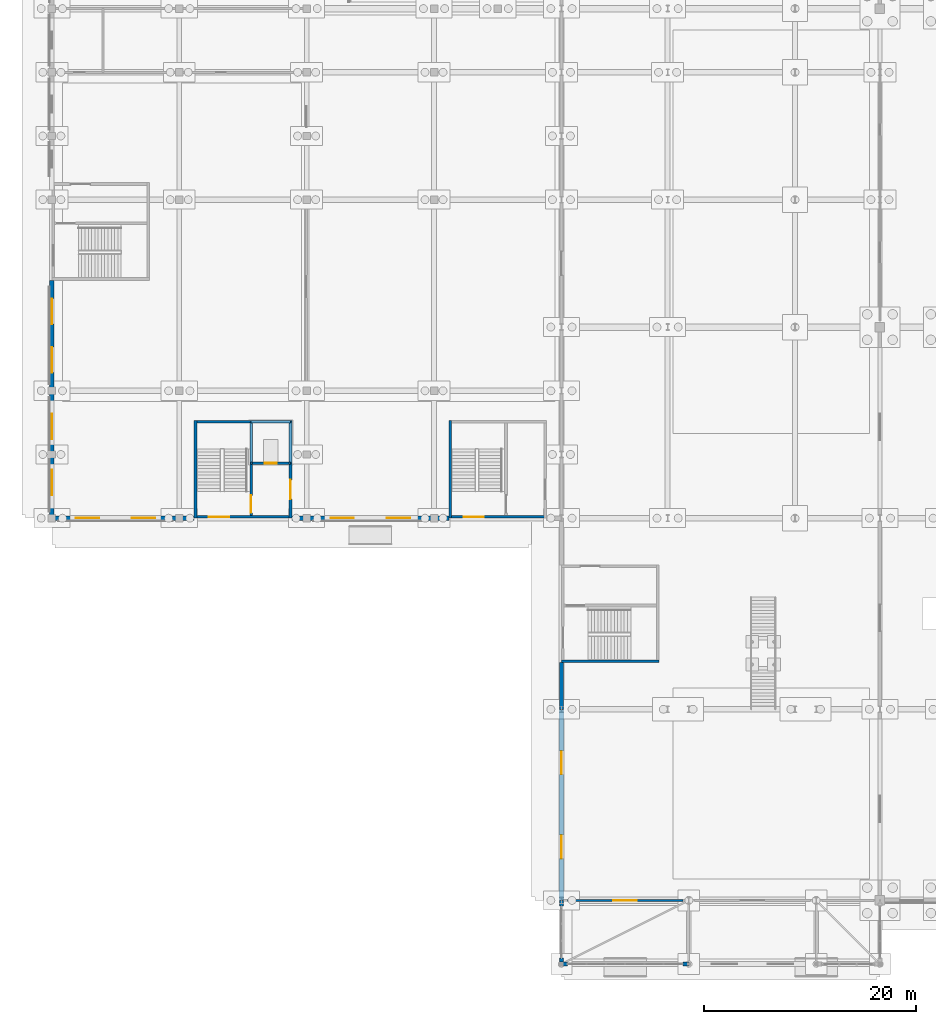
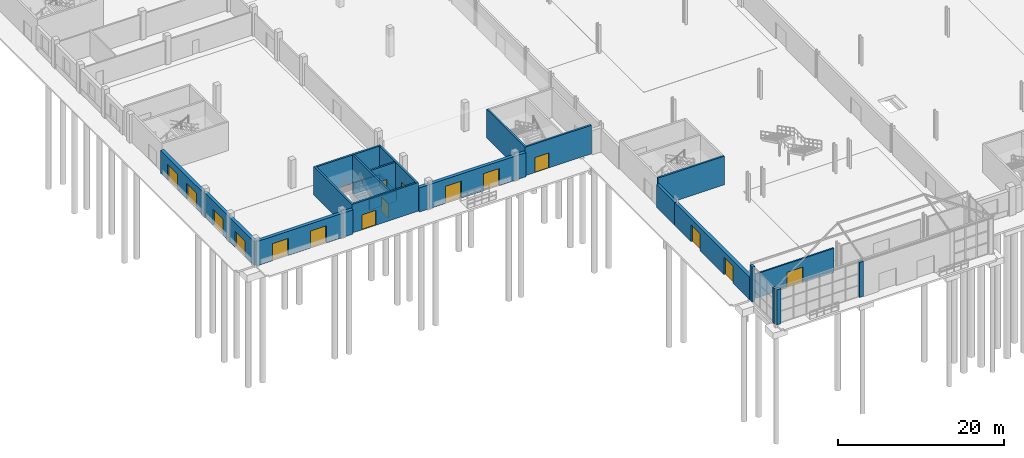
# One storey, part 52 of 77: 27 walls, 16 doors, 16 openings.
"""IFC4 building model written with IfcOpenShell, lengths in metres."""

import ifcopenshell
import ifcopenshell.guid

model = None  # the IFC model being written
_history = None  # IfcOwnerHistory: only IFC2X3 demands one
_inside = {}  # id of a spatial element -> (the spatial element, [elements in it])
_under = {}  # id of a project, library or spatial element -> (it, [spatial elements below it])
_declared = {}  # id of a project -> (the project, [libraries it declares])
_typed = {}  # id of a type object -> (the type object, [elements of that type])
_made_of = {}  # id of a material, layer set ... -> (it, [elements and type objects made of it])


def new_model(schema):
    """Start an empty IFC model of exactly this schema.

    Asked for "IFC4X3", IfcOpenShell would pick the latest addendum, in which some entities
    have other attributes; the version numbers below select the first issue.
    IFC2X3 requires an IfcOwnerHistory on every rooted entity: one is made here for all.
    """
    global model, _history
    if schema == "IFC4X3":
        model = ifcopenshell.file(schema_version=(4, 3, 0, 0))
    else:
        model = ifcopenshell.file(schema=schema)
    _inside.clear()
    _under.clear()
    _declared.clear()
    _typed.clear()
    _made_of.clear()
    _history = None
    if model.schema == "IFC2X3":
        org = make("IfcOrganization", Name="unknown")
        user = make(
            "IfcPersonAndOrganization",
            ThePerson=make("IfcPerson", FamilyName="unknown"),
            TheOrganization=org,
        )
        app = make(
            "IfcApplication",
            ApplicationDeveloper=org,
            Version="unknown",
            ApplicationFullName="unknown",
            ApplicationIdentifier="unknown",
        )
        _history = make(
            "IfcOwnerHistory",
            OwningUser=user,
            OwningApplication=app,
            ChangeAction="ADDED",
            CreationDate=0,
        )
    return model


def make(cls, **values):
    """One entity of the class cls with the attributes given. An attribute that is None is left unset."""
    return model.create_entity(
        cls, **{name: value for name, value in values.items() if value is not None}
    )


def rooted(cls, **values):
    """An entity with a GlobalId (a new one), such as an element, a storey or a relation."""
    return make(cls, GlobalId=ifcopenshell.guid.new(), OwnerHistory=_history, **values)


def si_unit(unit_type, name, prefix=None):
    """IfcSIUnit, for example si_unit("LENGTHUNIT", "METRE", prefix="MILLI")."""
    return make("IfcSIUnit", UnitType=unit_type, Prefix=prefix, Name=name)


def assignment(units):
    """IfcUnitAssignment: the units of a project."""
    return None if units is None else make("IfcUnitAssignment", Units=units)


def point(xyz):
    """IfcCartesianPoint."""
    return None if xyz is None else make("IfcCartesianPoint", Coordinates=xyz)


def direction(xyz):
    """IfcDirection."""
    return None if xyz is None else make("IfcDirection", DirectionRatios=xyz)


def frame(location, z_axis=None, x_axis=None):
    """IfcAxis2Placement3D, a coordinate frame: its origin and axes. An axis left out is left unset."""
    return make(
        "IfcAxis2Placement3D",
        Location=point(location),
        Axis=direction(z_axis),
        RefDirection=direction(x_axis),
    )


def frame_2d(location, x_axis=None):
    """IfcAxis2Placement2D, a coordinate frame in the plane: its origin and x axis."""
    return make(
        "IfcAxis2Placement2D", Location=point(location), RefDirection=direction(x_axis)
    )


def origin():
    """The frame at (0, 0, 0) with its axes left unset."""
    return frame((0.0, 0.0, 0.0))


def place(relative_to, where):
    """IfcLocalPlacement: puts the frame where relative to a parent placement (None: the world)."""
    return make(
        "IfcLocalPlacement", PlacementRelTo=relative_to, RelativePlacement=where
    )


def context(
    kind, dimensions, precision=None, world=None, true_north=None, identifier=None
):
    """IfcGeometricRepresentationContext, for example the 3D "Model" context."""
    return make(
        "IfcGeometricRepresentationContext",
        ContextIdentifier=identifier,
        ContextType=kind,
        CoordinateSpaceDimension=dimensions,
        Precision=precision,
        WorldCoordinateSystem=world,
        TrueNorth=true_north,
    )


def subcontext(parent, identifier, kind, view, scale=None):
    """IfcGeometricRepresentationSubContext, for example "Body" below "Model"."""
    return make(
        "IfcGeometricRepresentationSubContext",
        ContextIdentifier=identifier,
        ContextType=kind,
        ParentContext=parent,
        TargetScale=scale,
        TargetView=view,
    )


def project(units=None, contexts=None):
    """IfcProject with its units and contexts."""
    return rooted(
        "IfcProject",
        Name="project",
        RepresentationContexts=contexts,
        UnitsInContext=assignment(units),
    )


def spatial(cls, under=None, at=None, **own):
    """A site, building, storey or space (cls), placed at a placement, below another one or the project."""
    s = rooted(cls, ObjectPlacement=at, **own)
    if under is not None:
        _under.setdefault(under.id(), (under, []))[1].append(s)
    return s


def profile(cls, at=None, kind="AREA", **sizes):
    """A parametric profile (cls). Its sizes go by their IFC names, for example OverallWidth=200.0."""
    return make(cls, ProfileType=kind, Position=at, **sizes)


def rectangle(**sizes):
    """IfcRectangleProfileDef."""
    return profile("IfcRectangleProfileDef", **sizes)


def extrude(swept, where, along, depth):
    """IfcExtrudedAreaSolid: the profile swept, set in the frame where, extruded along a direction by depth."""
    return make(
        "IfcExtrudedAreaSolid",
        SweptArea=swept,
        Position=where,
        ExtrudedDirection=direction(along),
        Depth=depth,
    )


def shape(context_of_items, identifier, shape_type, items):
    """IfcShapeRepresentation: the items that make up one representation, for example the "Body"."""
    return make(
        "IfcShapeRepresentation",
        ContextOfItems=context_of_items,
        RepresentationIdentifier=identifier,
        RepresentationType=shape_type,
        Items=items,
    )


def material(Name=None, Category=None):
    """IfcMaterial."""
    return make("IfcMaterial", Name=Name, Category=Category)


def layer(
    of_material, thickness, ventilated=None, Name=None, Category=None, Priority=None
):
    """IfcMaterialLayer: one layer of a wall or slab, of a material (None: an air gap)."""
    return make(
        "IfcMaterialLayer",
        Material=of_material,
        LayerThickness=thickness,
        IsVentilated=ventilated,
        Name=Name,
        Category=Category,
        Priority=Priority,
    )


def layer_set(layers, Name=None):
    """IfcMaterialLayerSet."""
    return make("IfcMaterialLayerSet", MaterialLayers=layers, LayerSetName=Name)


def made_of(thing, what):
    """Note that an element or type object is made of a material, layer set ...; save() writes the relation."""
    if what is not None:
        _made_of.setdefault(what.id(), (what, []))[1].append(thing)
    return thing


def type_object(cls, material=None, **own):
    """A type object (cls), such as IfcWallType, which elements share."""
    return made_of(rooted(cls, **own), material)


def element(
    cls,
    number,
    at=None,
    inside=None,
    cuts=None,
    type_object=None,
    material=None,
    context=None,
    identifier="Body",
    shape_type=None,
    held_by="IfcProductDefinitionShape",
    body=None,
    shapes=None,
    **own,
):
    """One element of the class cls, such as IfcWall. Its Tag is "e" and its number.

    at: its placement. inside: the storey or other place that contains it. cuts: it is an
    opening in that element (IfcRelVoidsElement). A single representation is given by context,
    identifier, shape_type and body (its items); several are given by shapes. held_by: the class
    of the entity that holds the representations. save() writes the other relations.
    """
    e = rooted(cls, Tag="e%d" % number, ObjectPlacement=at, **own)
    if body is not None:
        shapes = [shape(context, identifier, shape_type, body)]
    if shapes is not None:
        e.Representation = make(held_by, Representations=shapes)
    if inside is not None:
        _inside.setdefault(inside.id(), (inside, []))[1].append(e)
    if cuts is not None:
        rooted(
            "IfcRelVoidsElement", RelatingBuildingElement=cuts, RelatedOpeningElement=e
        )
    if type_object is not None:
        _typed.setdefault(type_object.id(), (type_object, []))[1].append(e)
    return made_of(e, material)


def fill(opening, filler):
    """IfcRelFillsElement: the door or window that sits in an opening."""
    return rooted(
        "IfcRelFillsElement",
        RelatingOpeningElement=opening,
        RelatedBuildingElement=filler,
    )


def aggregate(whole, parts):
    """IfcRelAggregates: a whole, such as a stair, and the parts it consists of."""
    return rooted("IfcRelAggregates", RelatingObject=whole, RelatedObjects=parts)


def save(model, path):
    """Write the relations noted so far, then the file.

    IfcRelAggregates (storeys below a building ...), IfcRelContainedInSpatialStructure (elements
    in a storey), IfcRelDefinesByType, IfcRelAssociatesMaterial and IfcRelDeclares: one each for
    every whole, place, type object, material and project.
    """
    for whole, parts in _under.values():
        aggregate(whole, parts)
    for where, things in _inside.values():
        rooted(
            "IfcRelContainedInSpatialStructure",
            RelatedElements=things,
            RelatingStructure=where,
        )
    for kind, things in _typed.values():
        rooted("IfcRelDefinesByType", RelatedObjects=things, RelatingType=kind)
    for what, things in _made_of.values():
        rooted("IfcRelAssociatesMaterial", RelatedObjects=things, RelatingMaterial=what)
    for by, libraries in _declared.values():
        rooted("IfcRelDeclares", RelatingContext=by, RelatedDefinitions=libraries)
    model.write(path)


model = new_model("IFC4")

# Units and contexts
model_context = context("Model", 3, precision=1e-05, world=origin(), true_north=direction((0.0, 1.0)))
body_context = subcontext(model_context, "Body", "Model", "MODEL_VIEW")
ifc_project = project(units=[si_unit("LENGTHUNIT", "METRE"), si_unit("AREAUNIT", "SQUARE_METRE"), si_unit("VOLUMEUNIT", "CUBIC_METRE"), si_unit("PLANEANGLEUNIT", "RADIAN"), si_unit("MASSUNIT", "GRAM", prefix="KILO")], contexts=[model_context])

# Site, building, storey
site_placement = place(None, origin())
site = spatial("IfcSite", under=ifc_project, at=site_placement, CompositionType="ELEMENT")
building_placement = place(site_placement, origin())
building = spatial("IfcBuilding", under=site, at=building_placement, Name="Zilviju Railside Exhibition Hall", CompositionType="ELEMENT")
storey_placement = place(building_placement, origin())
storey = spatial("IfcBuildingStorey", under=building, at=storey_placement, Name="L01", CompositionType="ELEMENT", Elevation=0.0)

# Walls
ifc_material_1 = material(Name="Concrete C35/45", Category="concrete")
ifc_layer_1 = layer(ifc_material_1, 0.25)
ifc_layer_set_1 = layer_set([ifc_layer_1], Name="Concrete C35/45")
wall_type_1 = type_object("IfcWallType", Name="WL-CORE-250", PredefinedType="SHEAR", material=ifc_layer_set_1)
for number, where, z_axis, x_axis, name in (
    (1, (48.0, 22.52490234375, 0.0), (0.0, 0.0, 1.0), (1.0, 0.0, 0.0), "Core C11 Winter Concourse Forecourt Stairwell Outer Wall L01"),
    (2, (13.52490234375, 36.0, 0.0), (0.0, 0.0, 1.0), (0.0, 1.0, 0.0), "Core C12 Congress Plenary SouthW Stairwell Outer Wall L01"),
):
    element("IfcWall", number, at=place(storey_placement, frame(where, z_axis=z_axis, x_axis=x_axis)), inside=storey, type_object=wall_type_1, Name=name, PredefinedType="SHEAR", context=body_context, shape_type="SweptSolid", body=[
        extrude(rectangle(XDim=9.199951171875, YDim=0.25, at=frame_2d((4.60009765625, 0.0))), origin(), (0.0, 0.0, 1.0), 4.199951171875),
    ])
wall_1_placement = place(storey_placement, frame((13.39990234375, 45.074951171875, 0.0), z_axis=(0.0, 0.0, 1.0), x_axis=(1.0, 0.0, 0.0)))
element("IfcWall", 3, at=wall_1_placement, inside=storey, type_object=wall_type_1, Name="Core C12 Congress Plenary SouthW Core Rear Wall L01", PredefinedType="SHEAR", context=body_context, shape_type="SweptSolid", body=[
    extrude(rectangle(XDim=9.2001953125, YDim=0.25, at=frame_2d((4.60009765625, 0.0))), origin(), (0.0, 0.0, 1.0), 4.199951171875),
])

# Wall, opening, door
wall_2_placement = place(storey_placement, frame((22.47509765625, 36.0, 0.0), z_axis=(0.0, 0.0, 1.0), x_axis=(0.0, 1.0, 0.0)))
wall_2 = element("IfcWall", 4, at=wall_2_placement, inside=storey, type_object=wall_type_1, Name="Core C12 Congress Plenary SouthW Lobby Side Wall L01", PredefinedType="SHEAR", context=body_context, shape_type="SweptSolid", body=[
    extrude(rectangle(XDim=9.199951171875, YDim=0.25, at=frame_2d((4.60009765625, 0.0))), origin(), (0.0, 0.0, 1.0), 4.199951171875),
])
opening_1_placement = place(wall_2_placement, frame((1.800048828125, 0.0, 0.0)))
opening_1 = element("IfcOpeningElement", 5, at=opening_1_placement, cuts=wall_2, Name="Opening FD-02", PredefinedType="OPENING", context=body_context, shape_type="SweptSolid", body=[
    extrude(rectangle(XDim=1.800048828125, YDim=2.14990234375, at=frame_2d((0.89990234375, 1.074951171875))), frame((0.0, 0.135009765625, 0.0), z_axis=(0.0, -1.0, 0.0), x_axis=(1.0, 0.0, 0.0)), (0.0, 0.0, 1.0), 0.27001953125),
])
ifc_material_2 = material(Name="Self-closing glazed steel core lobby fire door EI 60", Category="steel")
door_type_1 = type_object("IfcDoorType", Name="DR-LOBBY-180x215", OperationType="NOTDEFINED", PredefinedType="DOOR", material=ifc_material_2)
door_1_placement = place(opening_1_placement, origin())
door_1 = element("IfcDoor", 6, at=door_1_placement, inside=storey, type_object=door_type_1, Name="Core C12 Congress Plenary SouthW Lobby Fire Door L01", OperationType="DOUBLE_DOOR_SINGLE_SWING", OverallHeight=2.14990234375, OverallWidth=1.800048828125, PredefinedType="DOOR", context=body_context, shape_type="SweptSolid", body=[
    extrude(rectangle(XDim=1.800048828125, YDim=2.14990234375, at=frame_2d((0.89990234375, 1.074951171875))), frame((0.0, 0.02490234375, 0.0), z_axis=(0.0, -1.0, 0.0), x_axis=(1.0, 0.0, 0.0)), (0.0, 0.0, 1.0), 0.050048828125),
])
fill(opening_1, door_1)

wall_3_placement = place(storey_placement, frame((18.77490234375, 36.25, 0.0), z_axis=(0.0, 0.0, 1.0), x_axis=(0.0, 1.0, 0.0)))
wall_3 = element("IfcWall", 7, at=wall_3_placement, inside=storey, type_object=wall_type_1, Name="Core C12 Congress Plenary SouthW Stairwell Partition Wall L01", PredefinedType="SHEAR", context=body_context, shape_type="SweptSolid", body=[
    extrude(rectangle(XDim=8.699951171875, YDim=0.25, at=frame_2d((4.35009765625, 0.0))), origin(), (0.0, 0.0, 1.0), 4.199951171875),
])
opening_2_placement = place(wall_3_placement, frame((0.25, 0.0, 0.0)))
opening_2 = element("IfcOpeningElement", 8, at=opening_2_placement, cuts=wall_3, Name="Opening FD-01", PredefinedType="OPENING", context=body_context, shape_type="SweptSolid", body=[
    extrude(rectangle(XDim=1.64990234375, YDim=2.10009765625, at=frame_2d((0.824951171875, 1.050048828125))), frame((0.0, 0.135009765625, 0.0), z_axis=(0.0, -1.0, 0.0), x_axis=(1.0, 0.0, 0.0)), (0.0, 0.0, 1.0), 0.27001953125),
])
ifc_material_3 = material(Name="Self-closing steel stair enclosure fire door EI 60", Category="steel")
door_type_2 = type_object("IfcDoorType", Name="DR-STAIR-165x210", OperationType="NOTDEFINED", PredefinedType="DOOR", material=ifc_material_3)
door_2_placement = place(opening_2_placement, origin())
door_2 = element("IfcDoor", 9, at=door_2_placement, inside=storey, type_object=door_type_2, Name="Core C12 Congress Plenary SouthW Protected Stair Door L01", OperationType="SINGLE_SWING_RIGHT", OverallHeight=2.10009765625, OverallWidth=1.64990234375, PredefinedType="DOOR", context=body_context, shape_type="SweptSolid", body=[
    extrude(rectangle(XDim=1.64990234375, YDim=2.10009765625, at=frame_2d((0.824951171875, 1.050048828125))), frame((0.0, 0.02490234375, 0.0), z_axis=(0.0, -1.0, 0.0), x_axis=(1.0, 0.0, 0.0)), (0.0, 0.0, 1.0), 0.050048828125),
])
fill(opening_2, door_2)

wall_4_placement = place(storey_placement, frame((18.89990234375, 41.175048828125, 0.0), z_axis=(0.0, 0.0, 1.0), x_axis=(1.0, 0.0, 0.0)))
wall_4 = element("IfcWall", 10, at=wall_4_placement, inside=storey, type_object=wall_type_1, Name="Core C12 Congress Plenary SouthW Lift Shaft Front Wall L01", PredefinedType="SHEAR", context=body_context, shape_type="SweptSolid", body=[
    extrude(rectangle(XDim=3.4501953125, YDim=0.25, at=frame_2d((1.72509765625, 0.0))), origin(), (0.0, 0.0, 1.0), 4.199951171875),
])
opening_3_placement = place(wall_4_placement, frame((1.175048828125, 0.0, 0.0)))
opening_3 = element("IfcOpeningElement", 11, at=opening_3_placement, cuts=wall_4, Name="Opening LD-01", PredefinedType="OPENING", context=body_context, shape_type="SweptSolid", body=[
    extrude(rectangle(XDim=1.10009765625, YDim=2.10009765625, at=frame_2d((0.550048828125, 1.050048828125))), frame((0.0, 0.135009765625, 0.0), z_axis=(0.0, -1.0, 0.0), x_axis=(1.0, 0.0, 0.0)), (0.0, 0.0, 1.0), 0.27001953125),
])
ifc_material_4 = material(Name="Passenger lift sliding landing door EI 60", Category="wood")
door_type_3 = type_object("IfcDoorType", Name="DR-LIFT-110x210", OperationType="NOTDEFINED", PredefinedType="DOOR", material=ifc_material_4)
door_3_placement = place(opening_3_placement, origin())
door_3 = element("IfcDoor", 12, at=door_3_placement, inside=storey, type_object=door_type_3, Name="Lift Landing Door LP-05 L01", OperationType="SLIDING_TO_RIGHT", OverallHeight=2.10009765625, OverallWidth=1.10009765625, PredefinedType="DOOR", context=body_context, shape_type="SweptSolid", body=[
    extrude(rectangle(XDim=1.10009765625, YDim=2.10009765625, at=frame_2d((0.550048828125, 1.050048828125))), frame((0.0, 0.02490234375, 0.0), z_axis=(0.0, -1.0, 0.0), x_axis=(1.0, 0.0, 0.0)), (0.0, 0.0, 1.0), 0.050048828125),
])
fill(opening_3, door_3)

# Walls
wall_5_placement = place(storey_placement, frame((37.52490234375, 36.0, 0.0), z_axis=(0.0, 0.0, 1.0), x_axis=(0.0, 1.0, 0.0)))
element("IfcWall", 13, at=wall_5_placement, inside=storey, type_object=wall_type_1, Name="Core C13 Congress Plenary SouthE Stairwell Outer Wall L01", PredefinedType="SHEAR", context=body_context, shape_type="SweptSolid", body=[
    extrude(rectangle(XDim=9.199951171875, YDim=0.25, at=frame_2d((4.60009765625, 0.0))), origin(), (0.0, 0.0, 1.0), 4.199951171875),
])
ifc_material_5 = material(Name="Concrete C40/50", Category="concrete")
ifc_layer_2 = layer(ifc_material_5, 0.25)
ifc_layer_set_2 = layer_set([ifc_layer_2], Name="Concrete C40/50")
wall_type_2 = type_object("IfcWallType", Name="WL-CORE-300", PredefinedType="SHEAR", material=ifc_layer_set_2)
wall_6_placement = place(storey_placement, frame((18.780029296875, 41.179931640625, -1.60009765625), z_axis=(0.0, 0.0, 1.0), x_axis=(1.0, 0.0, 0.0)))
element("IfcWall", 14, at=wall_6_placement, inside=storey, type_object=wall_type_2, Name="Core C12 Congress Plenary SouthW Lift Pit Wall 1", PredefinedType="SHEAR", context=body_context, shape_type="SweptSolid", body=[
    extrude(rectangle(XDim=3.699951171875, YDim=0.25, at=frame_2d((1.85009765625, 0.0))), origin(), (0.0, 0.0, 1.0), 1.60009765625),
])
wall_7_placement = place(storey_placement, frame((22.47998046875, 41.179931640625, -1.60009765625), z_axis=(0.0, 0.0, 1.0), x_axis=(0.0, 1.0, 0.0)))
element("IfcWall", 15, at=wall_7_placement, inside=storey, type_object=wall_type_2, Name="Core C12 Congress Plenary SouthW Lift Pit Wall 2", PredefinedType="SHEAR", context=body_context, shape_type="SweptSolid", body=[
    extrude(rectangle(XDim=3.900146484375, YDim=0.25, at=frame_2d((1.9501953125, 0.0))), origin(), (0.0, 0.0, 1.0), 1.60009765625),
])
wall_8_placement = place(storey_placement, frame((22.47998046875, 45.080078125, -1.60009765625), z_axis=(0.0, 0.0, 1.0), x_axis=(-1.0, 0.0, 0.0)))
element("IfcWall", 16, at=wall_8_placement, inside=storey, type_object=wall_type_2, Name="Core C12 Congress Plenary SouthW Lift Pit Wall 3", PredefinedType="SHEAR", context=body_context, shape_type="SweptSolid", body=[
    extrude(rectangle(XDim=3.699951171875, YDim=0.25, at=frame_2d((1.85009765625, 0.0))), origin(), (0.0, 0.0, 1.0), 1.60009765625),
])
wall_9_placement = place(storey_placement, frame((18.780029296875, 45.080078125, -1.60009765625), z_axis=(0.0, 0.0, 1.0), x_axis=(0.0, -1.0, 0.0)))
element("IfcWall", 17, at=wall_9_placement, inside=storey, type_object=wall_type_2, Name="Core C12 Congress Plenary SouthW Lift Pit Wall 4", PredefinedType="SHEAR", context=body_context, shape_type="SweptSolid", body=[
    extrude(rectangle(XDim=3.900146484375, YDim=0.25, at=frame_2d((1.9501953125, 0.0))), origin(), (0.0, 0.0, 1.0), 1.60009765625),
])

# Wall, opening, door
wall_10_placement = place(storey_placement, frame((22.60009765625, 36.125, 0.0), z_axis=(0.0, 0.0, 1.0), x_axis=(-1.0, 0.0, 0.0)))
wall_10 = element("IfcWall", 18, at=wall_10_placement, inside=storey, type_object=wall_type_2, Name="Core C12 Congress Plenary SouthW Exterior Core Wall L01", PredefinedType="SHEAR", context=body_context, shape_type="SweptSolid", body=[
    extrude(rectangle(XDim=9.2001953125, YDim=0.25, at=frame_2d((4.60009765625, 0.0))), origin(), (0.0, 0.0, 1.0), 4.199951171875),
])
opening_4_placement = place(wall_10_placement, frame((5.89990234375, 0.0, 0.0)))
opening_4 = element("IfcOpeningElement", 19, at=opening_4_placement, cuts=wall_10, Name="Opening ED-02", PredefinedType="OPENING", context=body_context, shape_type="SweptSolid", body=[
    extrude(rectangle(XDim=1.89990234375, YDim=2.199951171875, at=frame_2d((0.949951171875, 1.10009765625))), frame((0.0, 0.135009765625, 0.0), z_axis=(0.0, -1.0, 0.0), x_axis=(1.0, 0.0, 0.0)), (0.0, 0.0, 1.0), 0.27001953125),
])
ifc_material_6 = material(Name="Insulated aluminium stair discharge door", Category="aluminium")
door_type_4 = type_object("IfcDoorType", Name="DR-EXT-EXIT-190x220", OperationType="NOTDEFINED", PredefinedType="DOOR", material=ifc_material_6)
door_4_placement = place(opening_4_placement, origin())
door_4 = element("IfcDoor", 20, at=door_4_placement, inside=storey, type_object=door_type_4, Name="Core C12 Congress Plenary SouthW Exit Stair Discharge Door ED-C12", OperationType="DOUBLE_DOOR_SINGLE_SWING", OverallHeight=2.199951171875, OverallWidth=1.89990234375, PredefinedType="DOOR", context=body_context, shape_type="SweptSolid", body=[
    extrude(rectangle(XDim=1.89990234375, YDim=2.199951171875, at=frame_2d((0.949951171875, 1.10009765625))), frame((0.0, 0.02490234375, 0.0), z_axis=(0.0, -1.0, 0.0), x_axis=(1.0, 0.0, 0.0)), (0.0, 0.0, 1.0), 0.050048828125),
])
fill(opening_4, door_4)

wall_11_placement = place(storey_placement, frame((46.60009765625, 36.125, 0.0), z_axis=(0.0, 0.0, 1.0), x_axis=(-1.0, 0.0, 0.0)))
wall_11 = element("IfcWall", 21, at=wall_11_placement, inside=storey, type_object=wall_type_2, Name="Core C13 Congress Plenary SouthE Exterior Core Wall L01", PredefinedType="SHEAR", context=body_context, shape_type="SweptSolid", body=[
    extrude(rectangle(XDim=9.2001953125, YDim=0.25, at=frame_2d((4.60009765625, 0.0))), origin(), (0.0, 0.0, 1.0), 4.199951171875),
])
opening_5_placement = place(wall_11_placement, frame((5.89990234375, 0.0, 0.0)))
opening_5 = element("IfcOpeningElement", 22, at=opening_5_placement, cuts=wall_11, Name="Opening ED-02", PredefinedType="OPENING", context=body_context, shape_type="SweptSolid", body=[
    extrude(rectangle(XDim=1.89990234375, YDim=2.199951171875, at=frame_2d((0.949951171875, 1.10009765625))), frame((0.0, 0.135009765625, 0.0), z_axis=(0.0, -1.0, 0.0), x_axis=(1.0, 0.0, 0.0)), (0.0, 0.0, 1.0), 0.27001953125),
])
door_5_placement = place(opening_5_placement, origin())
door_5 = element("IfcDoor", 23, at=door_5_placement, inside=storey, type_object=door_type_4, Name="Core C13 Congress Plenary SouthE Exit Stair Discharge Door ED-C13", OperationType="DOUBLE_DOOR_SINGLE_SWING", OverallHeight=2.199951171875, OverallWidth=1.89990234375, PredefinedType="DOOR", context=body_context, shape_type="SweptSolid", body=[
    extrude(rectangle(XDim=1.89990234375, YDim=2.199951171875, at=frame_2d((0.949951171875, 1.10009765625))), frame((0.0, 0.02490234375, 0.0), z_axis=(0.0, -1.0, 0.0), x_axis=(1.0, 0.0, 0.0)), (0.0, 0.0, 1.0), 0.050048828125),
])
fill(opening_5, door_5)

# Walls
ifc_material_7 = material(Name="Insulated cream-brick upper facade wall", Category="masonry")
ifc_layer_3 = layer(ifc_material_7, 0.3798828125)
ifc_layer_set_3 = layer_set([ifc_layer_3], Name="Insulated cream-brick upper facade wall")
wall_type_3 = type_object("IfcWallType", Name="WL-EXT-380", PredefinedType="SOLIDWALL", material=ifc_layer_set_3)
wall_12_placement = place(storey_placement, frame((48.550048828125, -6.0, 0.0), z_axis=(0.0, 0.0, 1.0), x_axis=(-1.0, 0.0, 0.0)))
element("IfcWall", 24, at=wall_12_placement, inside=storey, type_object=wall_type_3, Name="Curtain-Wall Jamb Closure Pier L01 0381", PredefinedType="SOLIDWALL", context=body_context, shape_type="SweptSolid", body=[
    extrude(rectangle(XDim=0.550048828125, YDim=0.3798828125, at=frame_2d((0.27490234375, 0.0))), origin(), (0.0, 0.0, 1.0), 5.14990234375),
])
wall_13_placement = place(storey_placement, frame((59.998046875, -6.0, 0.0), z_axis=(0.0, 0.0, 1.0), x_axis=(-1.0, 0.0, 0.0)))
element("IfcWall", 25, at=wall_13_placement, inside=storey, type_object=wall_type_3, Name="Curtain-Wall Jamb Closure Pier L01 0382", PredefinedType="SOLIDWALL", context=body_context, shape_type="SweptSolid", body=[
    extrude(rectangle(XDim=0.548095703125, YDim=0.3798828125, at=frame_2d((0.27392578125, 0.0))), origin(), (0.0, 0.0, 1.0), 5.14990234375),
])
wall_14_placement = place(storey_placement, frame((48.0, -5.80810546875, 0.0), z_axis=(0.0, 0.0, 1.0), x_axis=(0.0, 1.0, 0.0)))
element("IfcWall", 26, at=wall_14_placement, inside=storey, type_object=wall_type_3, Name="Curtain-Wall Jamb Closure Pier L01 0386", PredefinedType="SOLIDWALL", context=body_context, shape_type="SweptSolid", body=[
    extrude(rectangle(XDim=0.358154296875, YDim=0.3798828125, at=frame_2d((0.17919921875, 0.0))), origin(), (0.0, 0.0, 1.0), 5.14990234375),
])
wall_15_placement = place(storey_placement, frame((48.0, -0.550048828125, 0.0), z_axis=(0.0, 0.0, 1.0), x_axis=(0.0, 1.0, 0.0)))
element("IfcWall", 27, at=wall_15_placement, inside=storey, type_object=wall_type_3, Name="Curtain-Wall Jamb Closure Pier L01 0387", PredefinedType="SOLIDWALL", context=body_context, shape_type="SweptSolid", body=[
    extrude(rectangle(XDim=0.548095703125, YDim=0.3798828125, at=frame_2d((0.27392578125, 0.0))), origin(), (0.0, 0.0, 1.0), 5.14990234375),
])
wall_16_placement = place(storey_placement, frame((48.0, 18.0, 0.0), z_axis=(0.0, 0.0, 1.0), x_axis=(0.0, 1.0, 0.0)))
element("IfcWall", 28, at=wall_16_placement, inside=storey, type_object=wall_type_3, Name="Exterior Facade Wall L01 West 0397", PredefinedType="SOLIDWALL", context=body_context, shape_type="SweptSolid", body=[
    extrude(rectangle(XDim=4.39990234375, YDim=0.3798828125, at=frame_2d((2.199951171875, 0.0))), origin(), (0.0, 0.0, 1.0), 3.340087890625),
])

# Wall, openings, doors
ifc_material_8 = material(Name="Insulated Staburags travertine masonry wall", Category="masonry")
ifc_layer_4 = layer(ifc_material_8, 0.449951171875)
ifc_layer_set_4 = layer_set([ifc_layer_4], Name="Insulated Staburags travertine masonry wall")
wall_type_4 = type_object("IfcWallType", Name="WL-EXT-450", PredefinedType="SOLIDWALL", material=ifc_layer_set_4)
wall_17_placement = place(storey_placement, frame((48.0, 0.0, 0.0), z_axis=(0.0, 0.0, 1.0), x_axis=(0.0, 1.0, 0.0)))
wall_17 = element("IfcWall", 29, at=wall_17_placement, inside=storey, type_object=wall_type_4, Name="Exterior Facade Wall L01 West 0396", PredefinedType="SOLIDWALL", context=body_context, shape_type="SweptSolid", body=[
    extrude(rectangle(XDim=18.0, YDim=0.449951171875, at=frame_2d((9.0, 0.0))), origin(), (0.0, 0.0, 1.0), 3.35009765625),
])
opening_6_placement = place(wall_17_placement, frame((3.93994140625, 0.0, 0.0)))
opening_6 = element("IfcOpeningElement", 30, at=opening_6_placement, cuts=wall_17, Name="Opening ED-04", PredefinedType="OPENING", context=body_context, shape_type="SweptSolid", body=[
    extrude(rectangle(XDim=2.199951171875, YDim=2.5, at=frame_2d((1.10009765625, 1.25))), frame((0.0, 0.23486328125, 0.0), z_axis=(0.0, -1.0, 0.0), x_axis=(1.0, 0.0, 0.0)), (0.0, 0.0, 1.0), 0.469970703125),
])
opening_7_placement = place(wall_17_placement, frame((11.860107421875, 0.0, 0.0)))
opening_7 = element("IfcOpeningElement", 31, at=opening_7_placement, cuts=wall_17, Name="Opening ED-04", PredefinedType="OPENING", context=body_context, shape_type="SweptSolid", body=[
    extrude(rectangle(XDim=2.199951171875, YDim=2.5, at=frame_2d((1.10009765625, 1.25))), frame((0.0, 0.23486328125, 0.0), z_axis=(0.0, -1.0, 0.0), x_axis=(1.0, 0.0, 0.0)), (0.0, 0.0, 1.0), 0.469970703125),
])
ifc_material_9 = material(Name="Glazed concourse forecourt entrance door", Category="steel")
door_type_5 = type_object("IfcDoorType", Name="DR-EXT-MAIN-220x250", OperationType="NOTDEFINED", PredefinedType="DOOR", material=ifc_material_9)
door_6_placement = place(opening_6_placement, origin())
door_6 = element("IfcDoor", 32, at=door_6_placement, inside=storey, type_object=door_type_5, Name="Concourse Forecourt West Entrance Door ED-CONC-01", OperationType="DOUBLE_DOOR_SINGLE_SWING", OverallHeight=2.5, OverallWidth=2.199951171875, PredefinedType="DOOR", context=body_context, shape_type="SweptSolid", body=[
    extrude(rectangle(XDim=2.199951171875, YDim=2.5, at=frame_2d((1.10009765625, 1.25))), frame((0.0, 0.02490234375, 0.0), z_axis=(0.0, -1.0, 0.0), x_axis=(1.0, 0.0, 0.0)), (0.0, 0.0, 1.0), 0.050048828125),
])
fill(opening_6, door_6)
door_7_placement = place(opening_7_placement, origin())
door_7 = element("IfcDoor", 33, at=door_7_placement, inside=storey, type_object=door_type_5, Name="Concourse Forecourt West Entrance Door ED-CONC-01", OperationType="DOUBLE_DOOR_SINGLE_SWING", OverallHeight=2.5, OverallWidth=2.199951171875, PredefinedType="DOOR", context=body_context, shape_type="SweptSolid", body=[
    extrude(rectangle(XDim=2.199951171875, YDim=2.5, at=frame_2d((1.10009765625, 1.25))), frame((0.0, 0.02490234375, 0.0), z_axis=(0.0, -1.0, 0.0), x_axis=(1.0, 0.0, 0.0)), (0.0, 0.0, 1.0), 0.050048828125),
])
fill(opening_7, door_7)

wall_18_placement = place(storey_placement, frame((12.0, 36.0, 0.0), z_axis=(0.0, 0.0, 1.0), x_axis=(-1.0, 0.0, 0.0)))
wall_18 = element("IfcWall", 34, at=wall_18_placement, inside=storey, type_object=wall_type_4, Name="Exterior Facade Wall L01 South 0422", PredefinedType="SOLIDWALL", context=body_context, shape_type="SweptSolid", body=[
    extrude(rectangle(XDim=12.0, YDim=0.449951171875, at=frame_2d((6.0, 0.0))), origin(), (0.0, 0.0, 1.0), 3.550048828125),
])
opening_8_placement = place(wall_18_placement, frame((2.260009765625, 0.0, 0.0)))
opening_8 = element("IfcOpeningElement", 35, at=opening_8_placement, cuts=wall_18, Name="Opening ED-04", PredefinedType="OPENING", context=body_context, shape_type="SweptSolid", body=[
    extrude(rectangle(XDim=2.199951171875, YDim=2.5, at=frame_2d((1.10009765625, 1.25))), frame((0.0, 0.23486328125, 0.0), z_axis=(0.0, -1.0, 0.0), x_axis=(1.0, 0.0, 0.0)), (0.0, 0.0, 1.0), 0.469970703125),
])
opening_9_placement = place(wall_18_placement, frame((7.5400390625, 0.0, 0.0)))
opening_9 = element("IfcOpeningElement", 36, at=opening_9_placement, cuts=wall_18, Name="Opening ED-04", PredefinedType="OPENING", context=body_context, shape_type="SweptSolid", body=[
    extrude(rectangle(XDim=2.199951171875, YDim=2.5, at=frame_2d((1.10009765625, 1.25))), frame((0.0, 0.23486328125, 0.0), z_axis=(0.0, -1.0, 0.0), x_axis=(1.0, 0.0, 0.0)), (0.0, 0.0, 1.0), 0.469970703125),
])
door_8_placement = place(opening_8_placement, origin())
door_8 = element("IfcDoor", 37, at=door_8_placement, inside=storey, type_object=door_type_5, Name="Pedestrian Final Exit Door ED-046", OperationType="DOUBLE_DOOR_SINGLE_SWING", OverallHeight=2.5, OverallWidth=2.199951171875, PredefinedType="DOOR", context=body_context, shape_type="SweptSolid", body=[
    extrude(rectangle(XDim=2.199951171875, YDim=2.5, at=frame_2d((1.10009765625, 1.25))), frame((0.0, 0.02490234375, 0.0), z_axis=(0.0, -1.0, 0.0), x_axis=(1.0, 0.0, 0.0)), (0.0, 0.0, 1.0), 0.050048828125),
])
fill(opening_8, door_8)
door_9_placement = place(opening_9_placement, origin())
door_9 = element("IfcDoor", 38, at=door_9_placement, inside=storey, type_object=door_type_5, Name="Pedestrian Final Exit Door ED-047", OperationType="DOUBLE_DOOR_SINGLE_SWING", OverallHeight=2.5, OverallWidth=2.199951171875, PredefinedType="DOOR", context=body_context, shape_type="SweptSolid", body=[
    extrude(rectangle(XDim=2.199951171875, YDim=2.5, at=frame_2d((1.10009765625, 1.25))), frame((0.0, 0.02490234375, 0.0), z_axis=(0.0, -1.0, 0.0), x_axis=(1.0, 0.0, 0.0)), (0.0, 0.0, 1.0), 0.050048828125),
])
fill(opening_9, door_9)

# Walls
for number, where, z_axis, x_axis, name in (
    (39, (13.39990234375, 36.0, 0.0), (0.0, 0.0, 1.0), (-1.0, 0.0, 0.0), "Exterior Facade Wall L01 South 0423"),
    (40, (24.0, 36.0, 0.0), (0.0, 0.0, 1.0), (-1.0, 0.0, 0.0), "Exterior Facade Wall L01 South 0424"),
):
    element("IfcWall", number, at=place(storey_placement, frame(where, z_axis=z_axis, x_axis=x_axis)), inside=storey, type_object=wall_type_4, Name=name, PredefinedType="SOLIDWALL", context=body_context, shape_type="SweptSolid", body=[
        extrude(rectangle(XDim=1.39990234375, YDim=0.449951171875, at=frame_2d((0.699951171875, 0.0))), origin(), (0.0, 0.0, 1.0), 3.550048828125),
    ])

# Wall, openings, doors
wall_19_placement = place(storey_placement, frame((36.0, 36.0, 0.0), z_axis=(0.0, 0.0, 1.0), x_axis=(-1.0, 0.0, 0.0)))
wall_19 = element("IfcWall", 41, at=wall_19_placement, inside=storey, type_object=wall_type_4, Name="Exterior Facade Wall L01 South 0425", PredefinedType="SOLIDWALL", context=body_context, shape_type="SweptSolid", body=[
    extrude(rectangle(XDim=12.0, YDim=0.449951171875, at=frame_2d((6.0, 0.0))), origin(), (0.0, 0.0, 1.0), 3.550048828125),
])
opening_10_placement = place(wall_19_placement, frame((2.260009765625, 0.0, 0.0)))
opening_10 = element("IfcOpeningElement", 42, at=opening_10_placement, cuts=wall_19, Name="Opening ED-04", PredefinedType="OPENING", context=body_context, shape_type="SweptSolid", body=[
    extrude(rectangle(XDim=2.199951171875, YDim=2.5, at=frame_2d((1.10009765625, 1.25))), frame((0.0, 0.23486328125, 0.0), z_axis=(0.0, -1.0, 0.0), x_axis=(1.0, 0.0, 0.0)), (0.0, 0.0, 1.0), 0.469970703125),
])
opening_11_placement = place(wall_19_placement, frame((7.5400390625, 0.0, 0.0)))
opening_11 = element("IfcOpeningElement", 43, at=opening_11_placement, cuts=wall_19, Name="Opening ED-04", PredefinedType="OPENING", context=body_context, shape_type="SweptSolid", body=[
    extrude(rectangle(XDim=2.199951171875, YDim=2.5, at=frame_2d((1.10009765625, 1.25))), frame((0.0, 0.23486328125, 0.0), z_axis=(0.0, -1.0, 0.0), x_axis=(1.0, 0.0, 0.0)), (0.0, 0.0, 1.0), 0.469970703125),
])
door_10_placement = place(opening_10_placement, origin())
door_10 = element("IfcDoor", 44, at=door_10_placement, inside=storey, type_object=door_type_5, Name="Pedestrian Final Exit Door ED-048", OperationType="DOUBLE_DOOR_SINGLE_SWING", OverallHeight=2.5, OverallWidth=2.199951171875, PredefinedType="DOOR", context=body_context, shape_type="SweptSolid", body=[
    extrude(rectangle(XDim=2.199951171875, YDim=2.5, at=frame_2d((1.10009765625, 1.25))), frame((0.0, 0.02490234375, 0.0), z_axis=(0.0, -1.0, 0.0), x_axis=(1.0, 0.0, 0.0)), (0.0, 0.0, 1.0), 0.050048828125),
])
fill(opening_10, door_10)
door_11_placement = place(opening_11_placement, origin())
door_11 = element("IfcDoor", 45, at=door_11_placement, inside=storey, type_object=door_type_5, Name="Pedestrian Final Exit Door ED-049", OperationType="DOUBLE_DOOR_SINGLE_SWING", OverallHeight=2.5, OverallWidth=2.199951171875, PredefinedType="DOOR", context=body_context, shape_type="SweptSolid", body=[
    extrude(rectangle(XDim=2.199951171875, YDim=2.5, at=frame_2d((1.10009765625, 1.25))), frame((0.0, 0.02490234375, 0.0), z_axis=(0.0, -1.0, 0.0), x_axis=(1.0, 0.0, 0.0)), (0.0, 0.0, 1.0), 0.050048828125),
])
fill(opening_11, door_11)

# Wall
wall_20_placement = place(storey_placement, frame((37.39990234375, 36.0, 0.0), z_axis=(0.0, 0.0, 1.0), x_axis=(-1.0, 0.0, 0.0)))
element("IfcWall", 46, at=wall_20_placement, inside=storey, type_object=wall_type_4, Name="Exterior Facade Wall L01 South 0426", PredefinedType="SOLIDWALL", context=body_context, shape_type="SweptSolid", body=[
    extrude(rectangle(XDim=1.39990234375, YDim=0.449951171875, at=frame_2d((0.699951171875, 0.0))), origin(), (0.0, 0.0, 1.0), 3.550048828125),
])

# Wall, openings, doors
wall_21_placement = place(storey_placement, frame((0.0, 36.0, 0.0), z_axis=(0.0, 0.0, 1.0), x_axis=(0.0, 1.0, 0.0)))
wall_21 = element("IfcWall", 47, at=wall_21_placement, inside=storey, type_object=wall_type_4, Name="Exterior Facade Wall L01 West 0428", PredefinedType="SOLIDWALL", context=body_context, shape_type="SweptSolid", body=[
    extrude(rectangle(XDim=12.0, YDim=0.449951171875, at=frame_2d((6.0, 0.0))), origin(), (0.0, 0.0, 1.0), 3.550048828125),
])
opening_12_placement = place(wall_21_placement, frame((2.159912109375, 0.0, 0.0)))
opening_12 = element("IfcOpeningElement", 48, at=opening_12_placement, cuts=wall_21, Name="Opening ED-05", PredefinedType="OPENING", context=body_context, shape_type="SweptSolid", body=[
    extrude(rectangle(XDim=2.39990234375, YDim=2.300048828125, at=frame_2d((1.199951171875, 1.14990234375))), frame((0.0, 0.23486328125, 0.0), z_axis=(0.0, -1.0, 0.0), x_axis=(1.0, 0.0, 0.0)), (0.0, 0.0, 1.0), 0.469970703125),
])
opening_13_placement = place(wall_21_placement, frame((7.43994140625, 0.0, 0.0)))
opening_13 = element("IfcOpeningElement", 49, at=opening_13_placement, cuts=wall_21, Name="Opening ED-05", PredefinedType="OPENING", context=body_context, shape_type="SweptSolid", body=[
    extrude(rectangle(XDim=2.39990234375, YDim=2.300048828125, at=frame_2d((1.199951171875, 1.14990234375))), frame((0.0, 0.23486328125, 0.0), z_axis=(0.0, -1.0, 0.0), x_axis=(1.0, 0.0, 0.0)), (0.0, 0.0, 1.0), 0.469970703125),
])
ifc_material_10 = material(Name="Insulated bronze-clad exhibition hall double exit door", Category="steel")
door_type_6 = type_object("IfcDoorType", Name="DR-EXT-EXIT-240x230", OperationType="NOTDEFINED", PredefinedType="DOOR", material=ifc_material_10)
door_12_placement = place(opening_12_placement, origin())
door_12 = element("IfcDoor", 50, at=door_12_placement, inside=storey, type_object=door_type_6, Name="Pedestrian Final Exit Door ED-050", OperationType="DOUBLE_DOOR_SINGLE_SWING", OverallHeight=2.300048828125, OverallWidth=2.39990234375, PredefinedType="DOOR", context=body_context, shape_type="SweptSolid", body=[
    extrude(rectangle(XDim=2.39990234375, YDim=2.300048828125, at=frame_2d((1.199951171875, 1.14990234375))), frame((0.0, 0.02490234375, 0.0), z_axis=(0.0, -1.0, 0.0), x_axis=(1.0, 0.0, 0.0)), (0.0, 0.0, 1.0), 0.050048828125),
])
fill(opening_12, door_12)
door_13_placement = place(opening_13_placement, origin())
door_13 = element("IfcDoor", 51, at=door_13_placement, inside=storey, type_object=door_type_6, Name="Pedestrian Final Exit Door ED-051", OperationType="DOUBLE_DOOR_SINGLE_SWING", OverallHeight=2.300048828125, OverallWidth=2.39990234375, PredefinedType="DOOR", context=body_context, shape_type="SweptSolid", body=[
    extrude(rectangle(XDim=2.39990234375, YDim=2.300048828125, at=frame_2d((1.199951171875, 1.14990234375))), frame((0.0, 0.02490234375, 0.0), z_axis=(0.0, -1.0, 0.0), x_axis=(1.0, 0.0, 0.0)), (0.0, 0.0, 1.0), 0.050048828125),
])
fill(opening_13, door_13)

wall_22_placement = place(storey_placement, frame((0.0, 48.0, 0.0), z_axis=(0.0, 0.0, 1.0), x_axis=(0.0, 1.0, 0.0)))
wall_22 = element("IfcWall", 52, at=wall_22_placement, inside=storey, type_object=wall_type_4, Name="Exterior Facade Wall L01 West 0429", PredefinedType="SOLIDWALL", context=body_context, shape_type="SweptSolid", body=[
    extrude(rectangle(XDim=10.39990234375, YDim=0.449951171875, at=frame_2d((5.199951171875, 0.0))), origin(), (0.0, 0.0, 1.0), 3.340087890625),
])
opening_14_placement = place(wall_22_placement, frame((1.7119140625, 0.0, 0.0)))
opening_14 = element("IfcOpeningElement", 53, at=opening_14_placement, cuts=wall_22, Name="Opening ED-05", PredefinedType="OPENING", context=body_context, shape_type="SweptSolid", body=[
    extrude(rectangle(XDim=2.39990234375, YDim=2.300048828125, at=frame_2d((1.199951171875, 1.14990234375))), frame((0.0, 0.23486328125, 0.0), z_axis=(0.0, -1.0, 0.0), x_axis=(1.0, 0.0, 0.0)), (0.0, 0.0, 1.0), 0.469970703125),
])
opening_15_placement = place(wall_22_placement, frame((6.2880859375, 0.0, 0.0)))
opening_15 = element("IfcOpeningElement", 54, at=opening_15_placement, cuts=wall_22, Name="Opening ED-05", PredefinedType="OPENING", context=body_context, shape_type="SweptSolid", body=[
    extrude(rectangle(XDim=2.39990234375, YDim=2.300048828125, at=frame_2d((1.199951171875, 1.14990234375))), frame((0.0, 0.23486328125, 0.0), z_axis=(0.0, -1.0, 0.0), x_axis=(1.0, 0.0, 0.0)), (0.0, 0.0, 1.0), 0.469970703125),
])
door_14_placement = place(opening_14_placement, origin())
door_14 = element("IfcDoor", 55, at=door_14_placement, inside=storey, type_object=door_type_6, Name="Pedestrian Final Exit Door ED-052", OperationType="DOUBLE_DOOR_SINGLE_SWING", OverallHeight=2.300048828125, OverallWidth=2.39990234375, PredefinedType="DOOR", context=body_context, shape_type="SweptSolid", body=[
    extrude(rectangle(XDim=2.39990234375, YDim=2.300048828125, at=frame_2d((1.199951171875, 1.14990234375))), frame((0.0, 0.02490234375, 0.0), z_axis=(0.0, -1.0, 0.0), x_axis=(1.0, 0.0, 0.0)), (0.0, 0.0, 1.0), 0.050048828125),
])
fill(opening_14, door_14)
door_15_placement = place(opening_15_placement, origin())
door_15 = element("IfcDoor", 56, at=door_15_placement, inside=storey, type_object=door_type_6, Name="Pedestrian Final Exit Door ED-053", OperationType="DOUBLE_DOOR_SINGLE_SWING", OverallHeight=2.300048828125, OverallWidth=2.39990234375, PredefinedType="DOOR", context=body_context, shape_type="SweptSolid", body=[
    extrude(rectangle(XDim=2.39990234375, YDim=2.300048828125, at=frame_2d((1.199951171875, 1.14990234375))), frame((0.0, 0.02490234375, 0.0), z_axis=(0.0, -1.0, 0.0), x_axis=(1.0, 0.0, 0.0)), (0.0, 0.0, 1.0), 0.050048828125),
])
fill(opening_15, door_15)

# Wall, opening, door
ifc_material_11 = material(Name="Double-stud acoustic gypsum partition wall", Category="masonry")
ifc_layer_5 = layer(ifc_material_11, 0.199951171875)
ifc_layer_set_5 = layer_set([ifc_layer_5], Name="Double-stud acoustic gypsum partition wall")
wall_type_5 = type_object("IfcWallType", Name="WL-PART-200", PredefinedType="PARTITIONING", material=ifc_layer_set_5)
wall_23_placement = place(storey_placement, frame((48.550048828125, 0.0, 0.0), z_axis=(0.0, 0.0, 1.0), x_axis=(1.0, 0.0, 0.0)))
wall_23 = element("IfcWall", 57, at=wall_23_placement, inside=storey, type_object=wall_type_5, Name="Entrance Porch Draught-Lobby Partition", PredefinedType="PARTITIONING", context=body_context, shape_type="SweptSolid", body=[
    extrude(rectangle(XDim=10.89990234375, YDim=0.199951171875, at=frame_2d((5.449951171875, 0.0))), origin(), (0.0, 0.0, 1.0), 3.56005859375),
])
opening_16_placement = place(wall_23_placement, frame((4.35009765625, 0.0, 0.0)))
opening_16 = element("IfcOpeningElement", 58, at=opening_16_placement, cuts=wall_23, Name="Opening FD-03", PredefinedType="OPENING", context=body_context, shape_type="SweptSolid", body=[
    extrude(rectangle(XDim=2.199951171875, YDim=2.300048828125, at=frame_2d((1.10009765625, 1.14990234375))), frame((0.0, 0.10986328125, 0.0), z_axis=(0.0, -1.0, 0.0), x_axis=(1.0, 0.0, 0.0)), (0.0, 0.0, 1.0), 0.219970703125),
])
ifc_material_12 = material(Name="Hold-open double compartment fire door EI 60", Category="wood")
door_type_7 = type_object("IfcDoorType", Name="DR-COMP-220x230", OperationType="NOTDEFINED", PredefinedType="DOOR", material=ifc_material_12)
door_16_placement = place(opening_16_placement, origin())
door_16 = element("IfcDoor", 59, at=door_16_placement, inside=storey, type_object=door_type_7, Name="Vestibule Inner Door", OperationType="DOUBLE_DOOR_SINGLE_SWING", OverallHeight=2.300048828125, OverallWidth=2.199951171875, PredefinedType="DOOR", context=body_context, shape_type="SweptSolid", body=[
    extrude(rectangle(XDim=2.199951171875, YDim=2.300048828125, at=frame_2d((1.10009765625, 1.14990234375))), frame((0.0, 0.02490234375, 0.0), z_axis=(0.0, -1.0, 0.0), x_axis=(1.0, 0.0, 0.0)), (0.0, 0.0, 1.0), 0.050048828125),
])
fill(opening_16, door_16)

save(model, "model.ifc")
